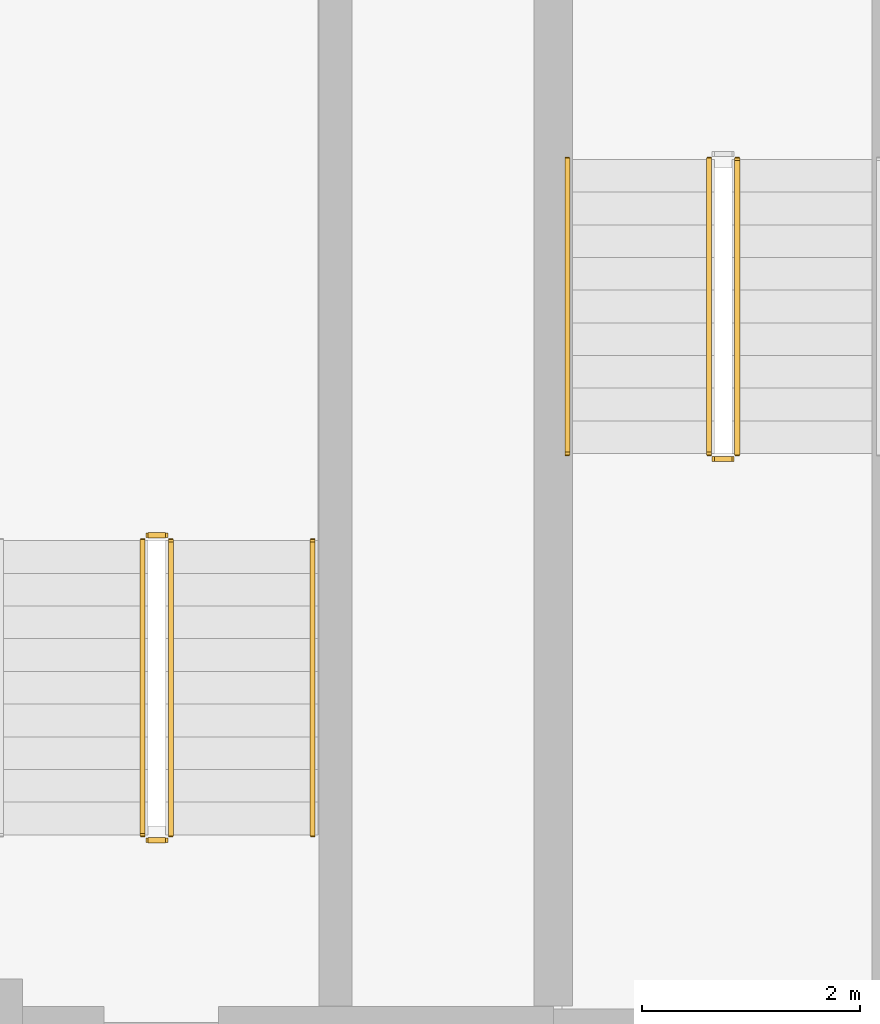
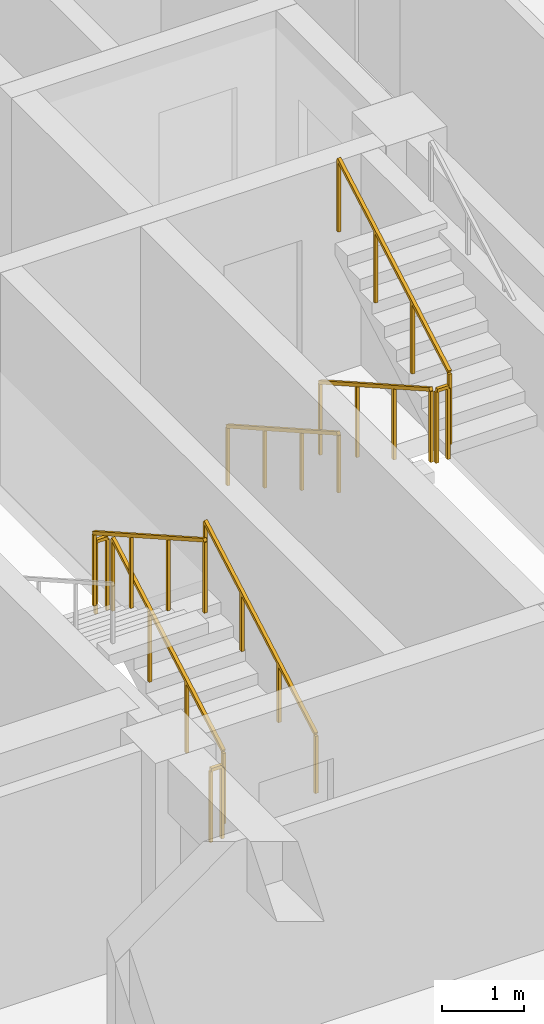
# One storey, part 9 of 14: 9 railings.
"""IFC4 building model written with IfcOpenShell, lengths in metres."""

import ifcopenshell
import ifcopenshell.guid

model = None  # the IFC model being written
_history = None  # IfcOwnerHistory: only IFC2X3 demands one
_inside = {}  # id of a spatial element -> (the spatial element, [elements in it])
_under = {}  # id of a project, library or spatial element -> (it, [spatial elements below it])
_declared = {}  # id of a project -> (the project, [libraries it declares])
_typed = {}  # id of a type object -> (the type object, [elements of that type])
_made_of = {}  # id of a material, layer set ... -> (it, [elements and type objects made of it])


def new_model(schema):
    """Start an empty IFC model of exactly this schema.

    Asked for "IFC4X3", IfcOpenShell would pick the latest addendum, in which some entities
    have other attributes; the version numbers below select the first issue.
    IFC2X3 requires an IfcOwnerHistory on every rooted entity: one is made here for all.
    """
    global model, _history
    if schema == "IFC4X3":
        model = ifcopenshell.file(schema_version=(4, 3, 0, 0))
    else:
        model = ifcopenshell.file(schema=schema)
    _inside.clear()
    _under.clear()
    _declared.clear()
    _typed.clear()
    _made_of.clear()
    _history = None
    if model.schema == "IFC2X3":
        org = make("IfcOrganization", Name="unknown")
        user = make(
            "IfcPersonAndOrganization",
            ThePerson=make("IfcPerson", FamilyName="unknown"),
            TheOrganization=org,
        )
        app = make(
            "IfcApplication",
            ApplicationDeveloper=org,
            Version="unknown",
            ApplicationFullName="unknown",
            ApplicationIdentifier="unknown",
        )
        _history = make(
            "IfcOwnerHistory",
            OwningUser=user,
            OwningApplication=app,
            ChangeAction="ADDED",
            CreationDate=0,
        )
    return model


def make(cls, **values):
    """One entity of the class cls with the attributes given. An attribute that is None is left unset."""
    return model.create_entity(
        cls, **{name: value for name, value in values.items() if value is not None}
    )


def rooted(cls, **values):
    """An entity with a GlobalId (a new one), such as an element, a storey or a relation."""
    return make(cls, GlobalId=ifcopenshell.guid.new(), OwnerHistory=_history, **values)


def si_unit(unit_type, name, prefix=None):
    """IfcSIUnit, for example si_unit("LENGTHUNIT", "METRE", prefix="MILLI")."""
    return make("IfcSIUnit", UnitType=unit_type, Prefix=prefix, Name=name)


def assignment(units):
    """IfcUnitAssignment: the units of a project."""
    return None if units is None else make("IfcUnitAssignment", Units=units)


def point(xyz):
    """IfcCartesianPoint."""
    return None if xyz is None else make("IfcCartesianPoint", Coordinates=xyz)


def direction(xyz):
    """IfcDirection."""
    return None if xyz is None else make("IfcDirection", DirectionRatios=xyz)


def frame(location, z_axis=None, x_axis=None):
    """IfcAxis2Placement3D, a coordinate frame: its origin and axes. An axis left out is left unset."""
    return make(
        "IfcAxis2Placement3D",
        Location=point(location),
        Axis=direction(z_axis),
        RefDirection=direction(x_axis),
    )


def frame_2d(location, x_axis=None):
    """IfcAxis2Placement2D, a coordinate frame in the plane: its origin and x axis."""
    return make(
        "IfcAxis2Placement2D", Location=point(location), RefDirection=direction(x_axis)
    )


def origin():
    """The frame at (0, 0, 0) with its axes left unset."""
    return frame((0.0, 0.0, 0.0))


def origin_2d():
    """The frame at (0, 0) in the plane with its x axis left unset."""
    return frame_2d((0.0, 0.0))


def place(relative_to, where):
    """IfcLocalPlacement: puts the frame where relative to a parent placement (None: the world)."""
    return make(
        "IfcLocalPlacement", PlacementRelTo=relative_to, RelativePlacement=where
    )


def context(
    kind, dimensions, precision=None, world=None, true_north=None, identifier=None
):
    """IfcGeometricRepresentationContext, for example the 3D "Model" context."""
    return make(
        "IfcGeometricRepresentationContext",
        ContextIdentifier=identifier,
        ContextType=kind,
        CoordinateSpaceDimension=dimensions,
        Precision=precision,
        WorldCoordinateSystem=world,
        TrueNorth=true_north,
    )


def subcontext(parent, identifier, kind, view, scale=None):
    """IfcGeometricRepresentationSubContext, for example "Body" below "Model"."""
    return make(
        "IfcGeometricRepresentationSubContext",
        ContextIdentifier=identifier,
        ContextType=kind,
        ParentContext=parent,
        TargetScale=scale,
        TargetView=view,
    )


def project(units=None, contexts=None):
    """IfcProject with its units and contexts."""
    return rooted(
        "IfcProject",
        Name="project",
        RepresentationContexts=contexts,
        UnitsInContext=assignment(units),
    )


def spatial(cls, under=None, at=None, **own):
    """A site, building, storey or space (cls), placed at a placement, below another one or the project."""
    s = rooted(cls, ObjectPlacement=at, **own)
    if under is not None:
        _under.setdefault(under.id(), (under, []))[1].append(s)
    return s


def profile(cls, at=None, kind="AREA", **sizes):
    """A parametric profile (cls). Its sizes go by their IFC names, for example OverallWidth=200.0."""
    return make(cls, ProfileType=kind, Position=at, **sizes)


def rectangle(**sizes):
    """IfcRectangleProfileDef."""
    return profile("IfcRectangleProfileDef", **sizes)


def extrude(swept, where, along, depth):
    """IfcExtrudedAreaSolid: the profile swept, set in the frame where, extruded along a direction by depth."""
    return make(
        "IfcExtrudedAreaSolid",
        SweptArea=swept,
        Position=where,
        ExtrudedDirection=direction(along),
        Depth=depth,
    )


def shape(context_of_items, identifier, shape_type, items):
    """IfcShapeRepresentation: the items that make up one representation, for example the "Body"."""
    return make(
        "IfcShapeRepresentation",
        ContextOfItems=context_of_items,
        RepresentationIdentifier=identifier,
        RepresentationType=shape_type,
        Items=items,
    )


def material(Name=None, Category=None):
    """IfcMaterial."""
    return make("IfcMaterial", Name=Name, Category=Category)


def made_of(thing, what):
    """Note that an element or type object is made of a material, layer set ...; save() writes the relation."""
    if what is not None:
        _made_of.setdefault(what.id(), (what, []))[1].append(thing)
    return thing


def type_object(cls, material=None, **own):
    """A type object (cls), such as IfcWallType, which elements share."""
    return made_of(rooted(cls, **own), material)


def element(
    cls,
    number,
    at=None,
    inside=None,
    cuts=None,
    type_object=None,
    material=None,
    context=None,
    identifier="Body",
    shape_type=None,
    held_by="IfcProductDefinitionShape",
    body=None,
    shapes=None,
    **own,
):
    """One element of the class cls, such as IfcWall. Its Tag is "e" and its number.

    at: its placement. inside: the storey or other place that contains it. cuts: it is an
    opening in that element (IfcRelVoidsElement). A single representation is given by context,
    identifier, shape_type and body (its items); several are given by shapes. held_by: the class
    of the entity that holds the representations. save() writes the other relations.
    """
    e = rooted(cls, Tag="e%d" % number, ObjectPlacement=at, **own)
    if body is not None:
        shapes = [shape(context, identifier, shape_type, body)]
    if shapes is not None:
        e.Representation = make(held_by, Representations=shapes)
    if inside is not None:
        _inside.setdefault(inside.id(), (inside, []))[1].append(e)
    if cuts is not None:
        rooted(
            "IfcRelVoidsElement", RelatingBuildingElement=cuts, RelatedOpeningElement=e
        )
    if type_object is not None:
        _typed.setdefault(type_object.id(), (type_object, []))[1].append(e)
    return made_of(e, material)


def aggregate(whole, parts):
    """IfcRelAggregates: a whole, such as a stair, and the parts it consists of."""
    return rooted("IfcRelAggregates", RelatingObject=whole, RelatedObjects=parts)


def save(model, path):
    """Write the relations noted so far, then the file.

    IfcRelAggregates (storeys below a building ...), IfcRelContainedInSpatialStructure (elements
    in a storey), IfcRelDefinesByType, IfcRelAssociatesMaterial and IfcRelDeclares: one each for
    every whole, place, type object, material and project.
    """
    for whole, parts in _under.values():
        aggregate(whole, parts)
    for where, things in _inside.values():
        rooted(
            "IfcRelContainedInSpatialStructure",
            RelatedElements=things,
            RelatingStructure=where,
        )
    for kind, things in _typed.values():
        rooted("IfcRelDefinesByType", RelatedObjects=things, RelatingType=kind)
    for what, things in _made_of.values():
        rooted("IfcRelAssociatesMaterial", RelatedObjects=things, RelatingMaterial=what)
    for by, libraries in _declared.values():
        rooted("IfcRelDeclares", RelatingContext=by, RelatedDefinitions=libraries)
    model.write(path)


model = new_model("IFC4")

# Units and contexts
model_context = context("Model", 3, precision=1e-05, world=origin(), true_north=direction((0.0, 1.0)))
body_context = subcontext(model_context, "Body", "Model", "MODEL_VIEW")
ifc_project = project(units=[si_unit("LENGTHUNIT", "METRE"), si_unit("AREAUNIT", "SQUARE_METRE"), si_unit("VOLUMEUNIT", "CUBIC_METRE"), si_unit("PLANEANGLEUNIT", "RADIAN"), si_unit("MASSUNIT", "GRAM", prefix="KILO")], contexts=[model_context])

# Site, building, storey
site_placement = place(None, origin())
site = spatial("IfcSite", under=ifc_project, at=site_placement, CompositionType="ELEMENT")
building_placement = place(site_placement, origin())
building = spatial("IfcBuilding", under=site, at=building_placement, Name="Zulmaris Gate Convention Tower", CompositionType="ELEMENT")
storey_placement = place(building_placement, frame((0.0, 0.0, 194.85986328125)))
storey = spatial("IfcBuildingStorey", under=building, at=storey_placement, Name="L50", CompositionType="ELEMENT", Elevation=194.85986328125)

# Railings
ifc_material_1 = material(Name="Painted Galvanised Steel", Category="steel")
railing_type_1 = type_object("IfcRailingType", Name="RL-STG-1150", PredefinedType="GUARDRAIL", material=ifc_material_1)
railing_1_placement = place(storey_placement, frame((-13.27001953125, -2.0, 0.169921875)))
element("IfcRailing", 1, at=railing_1_placement, inside=storey, type_object=railing_type_1, Name="L50 ST-1 stair guard 1", PredefinedType="GUARDRAIL", context=body_context, shape_type="SweptSolid", body=[
    extrude(rectangle(XDim=0.048095703125, YDim=0.048095703125, at=origin_2d()), frame((0.0, 0.0, 1.076171875), z_axis=(0.0, -0.869980566543, 0.493086010588), x_axis=(1.0, 0.0, 0.0)), (0.0, 0.0, 1.0), 3.103515625),
    extrude(rectangle(XDim=0.0419921875, YDim=0.0419921875, at=origin_2d()), origin(), (0.0, 0.0, 1.0), 1.052001953125),
    extrude(rectangle(XDim=0.0419921875, YDim=0.0419921875, at=origin_2d()), frame((0.0, -0.89990234375, 0.510009765625)), (0.0, 0.0, 1.0), 1.052001953125),
    extrude(rectangle(XDim=0.0419921875, YDim=0.0419921875, at=origin_2d()), frame((0.0, -1.800048828125, 1.020263671875)), (0.0, 0.0, 1.0), 1.052001953125),
    extrude(rectangle(XDim=0.0419921875, YDim=0.0419921875, at=origin_2d()), frame((0.0, -2.699951171875, 1.5302734375)), (0.0, 0.0, 1.0), 1.052001953125),
])
railing_2_placement = place(storey_placement, frame((-13.219970703125, -4.75, 1.7001953125)))
element("IfcRailing", 2, at=railing_2_placement, inside=storey, type_object=railing_type_1, Name="L50 ST-1 stair guard 2", PredefinedType="GUARDRAIL", context=body_context, shape_type="SweptSolid", body=[
    extrude(rectangle(XDim=0.048095703125, YDim=0.048095703125, at=origin_2d()), frame((0.0, 0.0, 1.076171875), z_axis=(1.0, 0.0, 0.0), x_axis=(0.0, 1.0, 0.0)), (0.0, 0.0, 1.0), 0.159912109375),
    extrude(rectangle(XDim=0.0419921875, YDim=0.0419921875, at=origin_2d()), origin(), (0.0, 0.0, 1.0), 1.052001953125),
    extrude(rectangle(XDim=0.0419921875, YDim=0.0419921875, at=origin_2d()), frame((0.159912109375, 0.0, 0.0)), (0.0, 0.0, 1.0), 1.052001953125),
])
railing_3_placement = place(storey_placement, frame((-13.010009765625, -4.699951171875, 1.8701171875)))
element("IfcRailing", 3, at=railing_3_placement, inside=storey, type_object=railing_type_1, Name="L50 ST-1 stair guard 3", PredefinedType="GUARDRAIL", context=body_context, shape_type="SweptSolid", body=[
    extrude(rectangle(XDim=0.048095703125, YDim=0.048095703125, at=origin_2d()), frame((0.0, 0.0, 1.076171875), z_axis=(0.0, 0.870014312096, 0.49302646658), x_axis=(-1.0, 0.0, 0.0)), (0.0, 0.0, 1.0), 3.103271484375),
    extrude(rectangle(XDim=0.0419921875, YDim=0.0419921875, at=origin_2d()), origin(), (0.0, 0.0, 1.0), 1.052001953125),
    extrude(rectangle(XDim=0.0419921875, YDim=0.0419921875, at=origin_2d()), frame((0.0, 0.89990234375, 0.510009765625)), (0.0, 0.0, 1.0), 1.052001953125),
    extrude(rectangle(XDim=0.0419921875, YDim=0.0419921875, at=origin_2d()), frame((0.0, 1.800048828125, 1.02001953125)), (0.0, 0.0, 1.0), 1.052001953125),
    extrude(rectangle(XDim=0.0419921875, YDim=0.0419921875, at=origin_2d()), frame((0.0, 2.699951171875, 1.530029296875)), (0.0, 0.0, 1.0), 1.052001953125),
])
railing_4_placement = place(storey_placement, frame((-18.2099609375, -8.199951171875, 0.169921875)))
element("IfcRailing", 4, at=railing_4_placement, inside=storey, type_object=railing_type_1, Name="L50 ST-3 stair guard 1", PredefinedType="GUARDRAIL", context=body_context, shape_type="SweptSolid", body=[
    extrude(rectangle(XDim=0.048095703125, YDim=0.048095703125, at=origin_2d()), frame((0.0, 0.0, 1.076171875), z_axis=(0.0, 0.869980566543, 0.493086010588), x_axis=(-1.0, 0.0, 0.0)), (0.0, 0.0, 1.0), 3.103515625),
    extrude(rectangle(XDim=0.0419921875, YDim=0.0419921875, at=origin_2d()), origin(), (0.0, 0.0, 1.0), 1.052001953125),
    extrude(rectangle(XDim=0.0419921875, YDim=0.0419921875, at=origin_2d()), frame((0.0, 0.89990234375, 0.510009765625)), (0.0, 0.0, 1.0), 1.052001953125),
    extrude(rectangle(XDim=0.0419921875, YDim=0.0419921875, at=origin_2d()), frame((0.0, 1.800048828125, 1.020263671875)), (0.0, 0.0, 1.0), 1.052001953125),
    extrude(rectangle(XDim=0.0419921875, YDim=0.0419921875, at=origin_2d()), frame((0.0, 2.699951171875, 1.5302734375)), (0.0, 0.0, 1.0), 1.052001953125),
])
railing_5_placement = place(storey_placement, frame((-18.260009765625, -5.449951171875, 1.7001953125)))
element("IfcRailing", 5, at=railing_5_placement, inside=storey, type_object=railing_type_1, Name="L50 ST-3 stair guard 2", PredefinedType="GUARDRAIL", context=body_context, shape_type="SweptSolid", body=[
    extrude(rectangle(XDim=0.048095703125, YDim=0.048095703125, at=origin_2d()), frame((0.0, 0.0, 1.076171875), z_axis=(-1.0, 0.0, 0.0), x_axis=(0.0, -1.0, 0.0)), (0.0, 0.0, 1.0), 0.159912109375),
    extrude(rectangle(XDim=0.0419921875, YDim=0.0419921875, at=origin_2d()), origin(), (0.0, 0.0, 1.0), 1.052001953125),
    extrude(rectangle(XDim=0.0419921875, YDim=0.0419921875, at=origin_2d()), frame((-0.159912109375, 0.0, 0.0)), (0.0, 0.0, 1.0), 1.052001953125),
])
railing_6_placement = place(storey_placement, frame((-18.469970703125, -5.5, 1.8701171875)))
element("IfcRailing", 6, at=railing_6_placement, inside=storey, type_object=railing_type_1, Name="L50 ST-3 stair guard 3", PredefinedType="GUARDRAIL", context=body_context, shape_type="SweptSolid", body=[
    extrude(rectangle(XDim=0.048095703125, YDim=0.048095703125, at=origin_2d()), frame((0.0, 0.0, 1.076171875), z_axis=(0.0, -0.870014312096, 0.49302646658), x_axis=(1.0, 0.0, 0.0)), (0.0, 0.0, 1.0), 3.103271484375),
    extrude(rectangle(XDim=0.0419921875, YDim=0.0419921875, at=origin_2d()), origin(), (0.0, 0.0, 1.0), 1.052001953125),
    extrude(rectangle(XDim=0.0419921875, YDim=0.0419921875, at=origin_2d()), frame((0.0, -0.89990234375, 0.510009765625)), (0.0, 0.0, 1.0), 1.052001953125),
    extrude(rectangle(XDim=0.0419921875, YDim=0.0419921875, at=origin_2d()), frame((0.0, -1.800048828125, 1.02001953125)), (0.0, 0.0, 1.0), 1.052001953125),
    extrude(rectangle(XDim=0.0419921875, YDim=0.0419921875, at=origin_2d()), frame((0.0, -2.699951171875, 1.530029296875)), (0.0, 0.0, 1.0), 1.052001953125),
])
railing_7_placement = place(storey_placement, frame((-18.260009765625, -8.25, 0.0)))
element("IfcRailing", 7, at=railing_7_placement, inside=storey, type_object=railing_type_1, Name="L50 ST-3 stair guard 4", PredefinedType="GUARDRAIL", context=body_context, shape_type="SweptSolid", body=[
    extrude(rectangle(XDim=0.048095703125, YDim=0.048095703125, at=origin_2d()), frame((0.0, 0.0, 1.076171875), z_axis=(-1.0, 0.0, 0.0), x_axis=(0.0, -1.0, 0.0)), (0.0, 0.0, 1.0), 0.159912109375),
    extrude(rectangle(XDim=0.0419921875, YDim=0.0419921875, at=origin_2d()), origin(), (0.0, 0.0, 1.0), 1.052001953125),
    extrude(rectangle(XDim=0.0419921875, YDim=0.0419921875, at=origin_2d()), frame((-0.159912109375, 0.0, 0.0)), (0.0, 0.0, 1.0), 1.052001953125),
])
ifc_material_2 = material(Name="Brushed Stainless Steel", Category="steel")
railing_type_2 = type_object("IfcRailingType", Name="RL-STH-900", PredefinedType="HANDRAIL", material=ifc_material_2)
railing_8_placement = place(storey_placement, frame((-14.570068359375, -2.0, 0.169921875)))
element("IfcRailing", 8, at=railing_8_placement, inside=storey, type_object=railing_type_2, Name="L50 ST-1 stair handrail 1", PredefinedType="HANDRAIL", context=body_context, shape_type="SweptSolid", body=[
    extrude(rectangle(XDim=0.048095703125, YDim=0.048095703125, at=origin_2d()), frame((0.0, 0.0, 0.8759765625), z_axis=(0.0, -0.869980566543, 0.493086010588), x_axis=(1.0, 0.0, 0.0)), (0.0, 0.0, 1.0), 3.103515625),
    extrude(rectangle(XDim=0.0419921875, YDim=0.0419921875, at=origin_2d()), origin(), (0.0, 0.0, 1.0), 0.851806640625),
    extrude(rectangle(XDim=0.0419921875, YDim=0.0419921875, at=origin_2d()), frame((0.0, -0.89990234375, 0.510009765625)), (0.0, 0.0, 1.0), 0.851806640625),
    extrude(rectangle(XDim=0.0419921875, YDim=0.0419921875, at=origin_2d()), frame((0.0, -1.800048828125, 1.020263671875)), (0.0, 0.0, 1.0), 0.851806640625),
    extrude(rectangle(XDim=0.0419921875, YDim=0.0419921875, at=origin_2d()), frame((0.0, -2.699951171875, 1.5302734375)), (0.0, 0.0, 1.0), 0.851806640625),
])
railing_9_placement = place(storey_placement, frame((-16.909912109375, -8.199951171875, 0.169921875)))
element("IfcRailing", 9, at=railing_9_placement, inside=storey, type_object=railing_type_2, Name="L50 ST-3 stair handrail 1", PredefinedType="HANDRAIL", context=body_context, shape_type="SweptSolid", body=[
    extrude(rectangle(XDim=0.048095703125, YDim=0.048095703125, at=origin_2d()), frame((0.0, 0.0, 0.8759765625), z_axis=(0.0, 0.869980566543, 0.493086010588), x_axis=(-1.0, 0.0, 0.0)), (0.0, 0.0, 1.0), 3.103515625),
    extrude(rectangle(XDim=0.0419921875, YDim=0.0419921875, at=origin_2d()), origin(), (0.0, 0.0, 1.0), 0.851806640625),
    extrude(rectangle(XDim=0.0419921875, YDim=0.0419921875, at=origin_2d()), frame((0.0, 0.89990234375, 0.510009765625)), (0.0, 0.0, 1.0), 0.851806640625),
    extrude(rectangle(XDim=0.0419921875, YDim=0.0419921875, at=origin_2d()), frame((0.0, 1.800048828125, 1.020263671875)), (0.0, 0.0, 1.0), 0.851806640625),
    extrude(rectangle(XDim=0.0419921875, YDim=0.0419921875, at=origin_2d()), frame((0.0, 2.699951171875, 1.5302734375)), (0.0, 0.0, 1.0), 0.851806640625),
])

save(model, "model.ifc")
